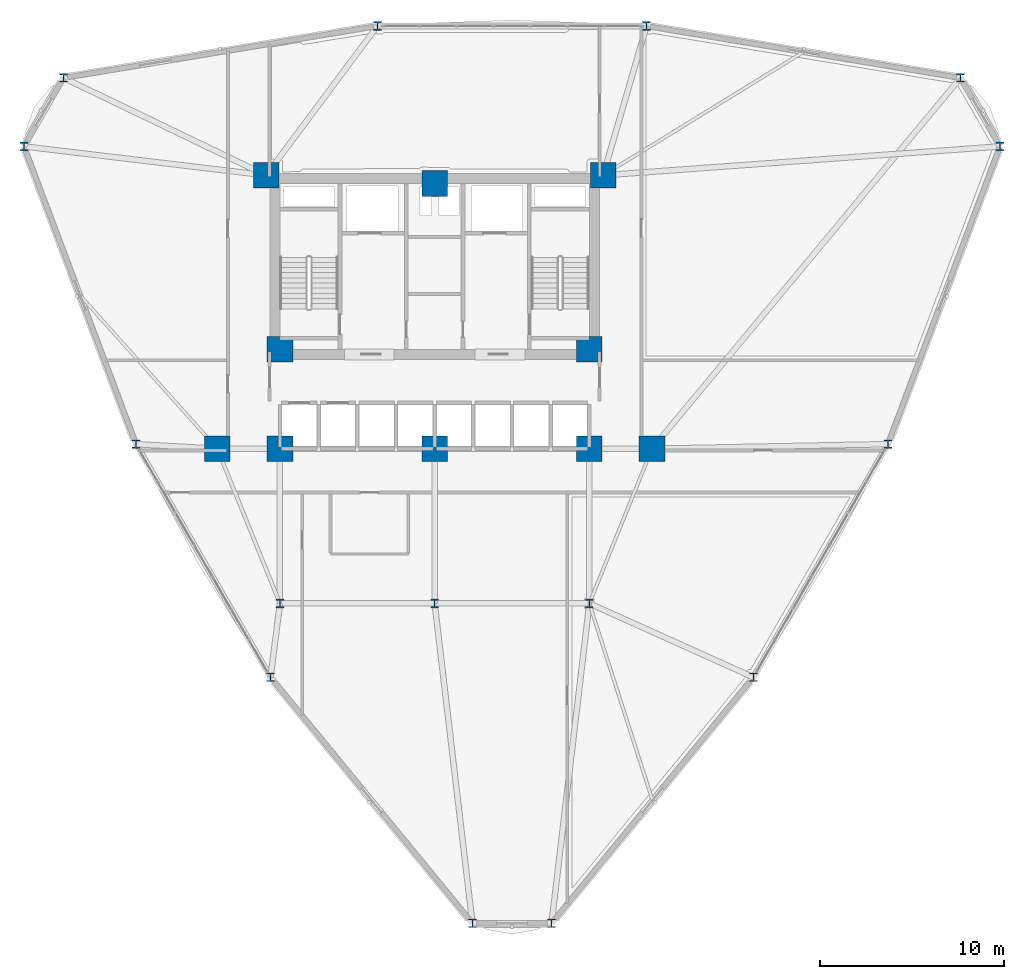
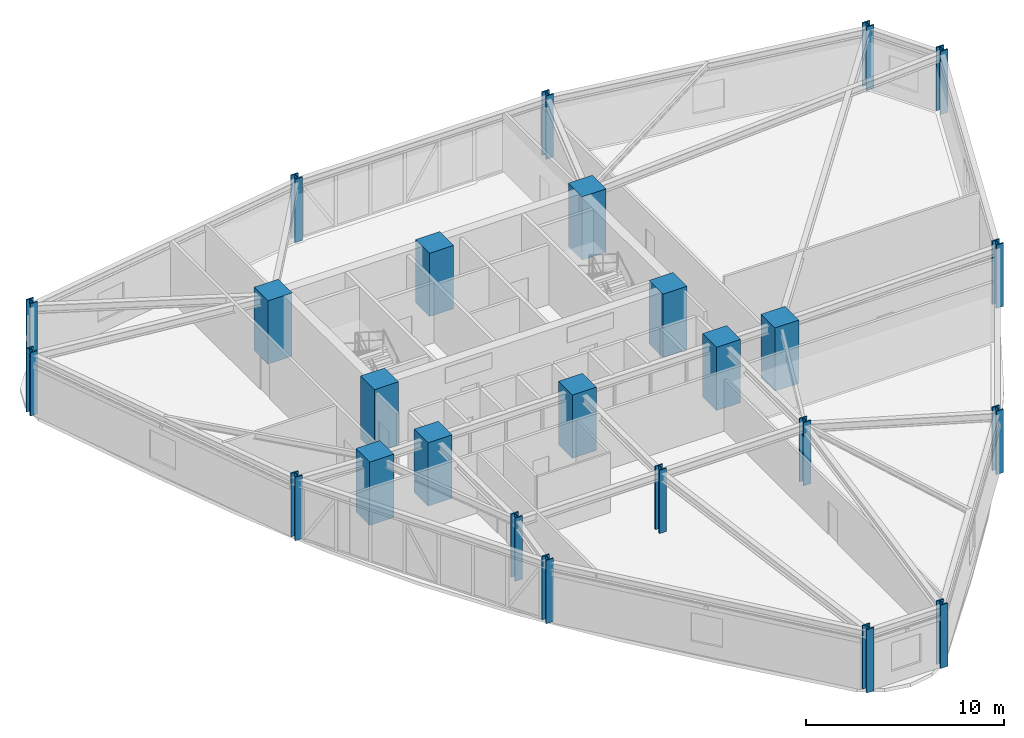
# One storey, part 1 of 20: 25 columns.
"""IFC4 building model written with IfcOpenShell, lengths in metres."""

import ifcopenshell
import ifcopenshell.guid

model = None  # the IFC model being written
_history = None  # IfcOwnerHistory: only IFC2X3 demands one
_inside = {}  # id of a spatial element -> (the spatial element, [elements in it])
_under = {}  # id of a project, library or spatial element -> (it, [spatial elements below it])
_declared = {}  # id of a project -> (the project, [libraries it declares])
_typed = {}  # id of a type object -> (the type object, [elements of that type])
_made_of = {}  # id of a material, layer set ... -> (it, [elements and type objects made of it])


def new_model(schema):
    """Start an empty IFC model of exactly this schema.

    Asked for "IFC4X3", IfcOpenShell would pick the latest addendum, in which some entities
    have other attributes; the version numbers below select the first issue.
    IFC2X3 requires an IfcOwnerHistory on every rooted entity: one is made here for all.
    """
    global model, _history
    if schema == "IFC4X3":
        model = ifcopenshell.file(schema_version=(4, 3, 0, 0))
    else:
        model = ifcopenshell.file(schema=schema)
    _inside.clear()
    _under.clear()
    _declared.clear()
    _typed.clear()
    _made_of.clear()
    _history = None
    if model.schema == "IFC2X3":
        org = make("IfcOrganization", Name="unknown")
        user = make(
            "IfcPersonAndOrganization",
            ThePerson=make("IfcPerson", FamilyName="unknown"),
            TheOrganization=org,
        )
        app = make(
            "IfcApplication",
            ApplicationDeveloper=org,
            Version="unknown",
            ApplicationFullName="unknown",
            ApplicationIdentifier="unknown",
        )
        _history = make(
            "IfcOwnerHistory",
            OwningUser=user,
            OwningApplication=app,
            ChangeAction="ADDED",
            CreationDate=0,
        )
    return model


def make(cls, **values):
    """One entity of the class cls with the attributes given. An attribute that is None is left unset."""
    return model.create_entity(
        cls, **{name: value for name, value in values.items() if value is not None}
    )


def rooted(cls, **values):
    """An entity with a GlobalId (a new one), such as an element, a storey or a relation."""
    return make(cls, GlobalId=ifcopenshell.guid.new(), OwnerHistory=_history, **values)


def si_unit(unit_type, name, prefix=None):
    """IfcSIUnit, for example si_unit("LENGTHUNIT", "METRE", prefix="MILLI")."""
    return make("IfcSIUnit", UnitType=unit_type, Prefix=prefix, Name=name)


def derived_unit(unit_type, elements):
    """IfcDerivedUnit: a product of units, each with its exponent."""
    return make(
        "IfcDerivedUnit",
        Elements=[
            make("IfcDerivedUnitElement", Unit=unit, Exponent=power)
            for unit, power in elements
        ],
        UnitType=unit_type,
    )


def assignment(units):
    """IfcUnitAssignment: the units of a project."""
    return None if units is None else make("IfcUnitAssignment", Units=units)


def point(xyz):
    """IfcCartesianPoint."""
    return None if xyz is None else make("IfcCartesianPoint", Coordinates=xyz)


def direction(xyz):
    """IfcDirection."""
    return None if xyz is None else make("IfcDirection", DirectionRatios=xyz)


def frame(location, z_axis=None, x_axis=None):
    """IfcAxis2Placement3D, a coordinate frame: its origin and axes. An axis left out is left unset."""
    return make(
        "IfcAxis2Placement3D",
        Location=point(location),
        Axis=direction(z_axis),
        RefDirection=direction(x_axis),
    )


def frame_2d(location, x_axis=None):
    """IfcAxis2Placement2D, a coordinate frame in the plane: its origin and x axis."""
    return make(
        "IfcAxis2Placement2D", Location=point(location), RefDirection=direction(x_axis)
    )


def origin():
    """The frame at (0, 0, 0) with its axes left unset."""
    return frame((0.0, 0.0, 0.0))


def origin_2d():
    """The frame at (0, 0) in the plane with its x axis left unset."""
    return frame_2d((0.0, 0.0))


def place(relative_to, where):
    """IfcLocalPlacement: puts the frame where relative to a parent placement (None: the world)."""
    return make(
        "IfcLocalPlacement", PlacementRelTo=relative_to, RelativePlacement=where
    )


def context(
    kind, dimensions, precision=None, world=None, true_north=None, identifier=None
):
    """IfcGeometricRepresentationContext, for example the 3D "Model" context."""
    return make(
        "IfcGeometricRepresentationContext",
        ContextIdentifier=identifier,
        ContextType=kind,
        CoordinateSpaceDimension=dimensions,
        Precision=precision,
        WorldCoordinateSystem=world,
        TrueNorth=true_north,
    )


def subcontext(parent, identifier, kind, view, scale=None):
    """IfcGeometricRepresentationSubContext, for example "Body" below "Model"."""
    return make(
        "IfcGeometricRepresentationSubContext",
        ContextIdentifier=identifier,
        ContextType=kind,
        ParentContext=parent,
        TargetScale=scale,
        TargetView=view,
    )


def project(units=None, contexts=None):
    """IfcProject with its units and contexts."""
    return rooted(
        "IfcProject",
        Name="project",
        RepresentationContexts=contexts,
        UnitsInContext=assignment(units),
    )


def spatial(cls, under=None, at=None, **own):
    """A site, building, storey or space (cls), placed at a placement, below another one or the project."""
    s = rooted(cls, ObjectPlacement=at, **own)
    if under is not None:
        _under.setdefault(under.id(), (under, []))[1].append(s)
    return s


def profile(cls, at=None, kind="AREA", **sizes):
    """A parametric profile (cls). Its sizes go by their IFC names, for example OverallWidth=200.0."""
    return make(cls, ProfileType=kind, Position=at, **sizes)


def rectangle(**sizes):
    """IfcRectangleProfileDef."""
    return profile("IfcRectangleProfileDef", **sizes)


def i_section(**sizes):
    """IfcIShapeProfileDef."""
    return profile("IfcIShapeProfileDef", **sizes)


def extrude(swept, where, along, depth):
    """IfcExtrudedAreaSolid: the profile swept, set in the frame where, extruded along a direction by depth."""
    return make(
        "IfcExtrudedAreaSolid",
        SweptArea=swept,
        Position=where,
        ExtrudedDirection=direction(along),
        Depth=depth,
    )


def shape(context_of_items, identifier, shape_type, items):
    """IfcShapeRepresentation: the items that make up one representation, for example the "Body"."""
    return make(
        "IfcShapeRepresentation",
        ContextOfItems=context_of_items,
        RepresentationIdentifier=identifier,
        RepresentationType=shape_type,
        Items=items,
    )


def source(mapping_origin, context_of_items, identifier, shape_type, items):
    """IfcRepresentationMap: a shape defined once, which mapped items show again and again."""
    return make(
        "IfcRepresentationMap",
        MappingOrigin=mapping_origin,
        MappedRepresentation=shape(context_of_items, identifier, shape_type, items),
    )


def transform(
    local_origin,
    x_axis=None,
    y_axis=None,
    z_axis=None,
    scale=None,
    scale2=None,
    scale3=None,
    uniform=True,
):
    """IfcCartesianTransformationOperator3D, or its non-uniform kind. x_axis, y_axis, z_axis: its Axis1, 2, 3."""
    if uniform:
        return make(
            "IfcCartesianTransformationOperator3D",
            Axis1=direction(x_axis),
            Axis2=direction(y_axis),
            LocalOrigin=point(local_origin),
            Scale=scale,
            Axis3=direction(z_axis),
        )
    return make(
        "IfcCartesianTransformationOperator3DnonUniform",
        Axis1=direction(x_axis),
        Axis2=direction(y_axis),
        LocalOrigin=point(local_origin),
        Scale=scale,
        Axis3=direction(z_axis),
        Scale2=scale2,
        Scale3=scale3,
    )


def mapped(mapping_source, mapping_target):
    """IfcMappedItem: shows the shape of a source again, moved by a transform."""
    return make(
        "IfcMappedItem", MappingSource=mapping_source, MappingTarget=mapping_target
    )


def material(Name=None, Category=None):
    """IfcMaterial."""
    return make("IfcMaterial", Name=Name, Category=Category)


def material_profile(
    of_material, cross_section, Name=None, Category=None, Priority=None
):
    """IfcMaterialProfile: a cross section and its material."""
    return make(
        "IfcMaterialProfile",
        Name=Name,
        Material=of_material,
        Profile=cross_section,
        Priority=Priority,
        Category=Category,
    )


def profile_set(profiles, Name=None, composite=None):
    """IfcMaterialProfileSet."""
    return make(
        "IfcMaterialProfileSet",
        Name=Name,
        MaterialProfiles=profiles,
        CompositeProfile=composite,
    )


def made_of(thing, what):
    """Note that an element or type object is made of a material, layer set ...; save() writes the relation."""
    if what is not None:
        _made_of.setdefault(what.id(), (what, []))[1].append(thing)
    return thing


def type_object(cls, material=None, **own):
    """A type object (cls), such as IfcWallType, which elements share."""
    return made_of(rooted(cls, **own), material)


def element(
    cls,
    number,
    at=None,
    inside=None,
    cuts=None,
    type_object=None,
    material=None,
    context=None,
    identifier="Body",
    shape_type=None,
    held_by="IfcProductDefinitionShape",
    body=None,
    shapes=None,
    **own,
):
    """One element of the class cls, such as IfcWall. Its Tag is "e" and its number.

    at: its placement. inside: the storey or other place that contains it. cuts: it is an
    opening in that element (IfcRelVoidsElement). A single representation is given by context,
    identifier, shape_type and body (its items); several are given by shapes. held_by: the class
    of the entity that holds the representations. save() writes the other relations.
    """
    e = rooted(cls, Tag="e%d" % number, ObjectPlacement=at, **own)
    if body is not None:
        shapes = [shape(context, identifier, shape_type, body)]
    if shapes is not None:
        e.Representation = make(held_by, Representations=shapes)
    if inside is not None:
        _inside.setdefault(inside.id(), (inside, []))[1].append(e)
    if cuts is not None:
        rooted(
            "IfcRelVoidsElement", RelatingBuildingElement=cuts, RelatedOpeningElement=e
        )
    if type_object is not None:
        _typed.setdefault(type_object.id(), (type_object, []))[1].append(e)
    return made_of(e, material)


def aggregate(whole, parts):
    """IfcRelAggregates: a whole, such as a stair, and the parts it consists of."""
    return rooted("IfcRelAggregates", RelatingObject=whole, RelatedObjects=parts)


def save(model, path):
    """Write the relations noted so far, then the file.

    IfcRelAggregates (storeys below a building ...), IfcRelContainedInSpatialStructure (elements
    in a storey), IfcRelDefinesByType, IfcRelAssociatesMaterial and IfcRelDeclares: one each for
    every whole, place, type object, material and project.
    """
    for whole, parts in _under.values():
        aggregate(whole, parts)
    for where, things in _inside.values():
        rooted(
            "IfcRelContainedInSpatialStructure",
            RelatedElements=things,
            RelatingStructure=where,
        )
    for kind, things in _typed.values():
        rooted("IfcRelDefinesByType", RelatedObjects=things, RelatingType=kind)
    for what, things in _made_of.values():
        rooted("IfcRelAssociatesMaterial", RelatedObjects=things, RelatingMaterial=what)
    for by, libraries in _declared.values():
        rooted("IfcRelDeclares", RelatingContext=by, RelatedDefinitions=libraries)
    model.write(path)


model = new_model("IFC4")

# Units and contexts
model_context = context("Model", 3, precision=1e-05, world=origin(), true_north=direction((0.0, 1.0)))
body_context = subcontext(model_context, "Body", "Model", "MODEL_VIEW")
ifc_project = project(units=[si_unit("LENGTHUNIT", "METRE"), si_unit("AREAUNIT", "SQUARE_METRE"), si_unit("VOLUMEUNIT", "CUBIC_METRE"), si_unit("PLANEANGLEUNIT", "RADIAN"), si_unit("MASSUNIT", "GRAM", prefix="KILO"), derived_unit("THERMALTRANSMITTANCEUNIT", [(si_unit("POWERUNIT", "WATT"), 1), (si_unit("LENGTHUNIT", "METRE"), -2), (si_unit("THERMODYNAMICTEMPERATUREUNIT", "KELVIN"), -1)])], contexts=[model_context])

# Site, building, storey
site_placement = place(None, origin())
site = spatial("IfcSite", under=ifc_project, at=site_placement, CompositionType="ELEMENT")
building_placement = place(site_placement, origin())
building = spatial("IfcBuilding", under=site, at=building_placement, Name="Korsvarv Bourse and Concert Hall", CompositionType="ELEMENT")
storey_placement = place(building_placement, frame((0.0, 0.0, 91.199951171875)))
storey = spatial("IfcBuildingStorey", under=building, at=storey_placement, Name="L22", CompositionType="ELEMENT", Elevation=91.199951171875)

# Columns
ifc_material_1 = material(Name="Concrete C60/75", Category="concrete")
ifc_material_profile_1 = material_profile(ifc_material_1, rectangle(XDim=1.39990234375, YDim=1.39990234375, at=origin_2d()), Name="RC 1400x1400")
ifc_profile_set_1 = profile_set([ifc_material_profile_1], Name="Concrete C60/75")
column_type_1 = type_object("IfcColumnType", Name="COL-RC1400", PredefinedType="COLUMN", material=ifc_profile_set_1)
shared_shape_1 = source(origin(), body_context, "Body", "SweptSolid", [
    extrude(rectangle(XDim=1.39990234375, YDim=1.39990234375, at=origin_2d()), origin(), (0.0, 0.0, 1.0), 3.900146484375),
])
for number, where, z_axis, x_axis, name in (
    (1, (26.85009765625, 47.25, 0.0), (0.0, 0.0, 1.0), (1.0, 0.0, 0.0), "L22 column C-01"),
    (2, (45.14990234375, 47.25, 0.0), (0.0, 0.0, 1.0), (1.0, 0.0, 0.0), "L22 column C-01"),
    (3, (27.60009765625, 37.800048828125, 0.0), (0.0, 0.0, 1.0), (1.0, 0.0, 0.0), "L22 column C-01"),
    (4, (44.39990234375, 37.800048828125, 0.0), (0.0, 0.0, 1.0), (1.0, 0.0, 0.0), "L22 column C-01"),
    (5, (27.60009765625, 32.39990234375, 0.0), (0.0, 0.0, 1.0), (1.0, 0.0, 0.0), "L22 column C-01"),
    (6, (44.39990234375, 32.39990234375, 0.0), (0.0, 0.0, 1.0), (1.0, 0.0, 0.0), "L22 column C-01"),
    (7, (36.0, 46.800048828125, 0.0), (0.0, 0.0, 1.0), (1.0, 0.0, 0.0), "L22 column C-01"),
    (8, (36.0, 32.39990234375, 0.0), (0.0, 0.0, 1.0), (1.0, 0.0, 0.0), "L22 column C-01"),
    (9, (24.199951171875, 32.39990234375, 0.0), (0.0, 0.0, 1.0), (1.0, 0.0, 0.0), "L22 column C-01"),
    (10, (47.800048828125, 32.39990234375, 0.0), (0.0, 0.0, 1.0), (1.0, 0.0, 0.0), "L22 column C-01"),
):
    element("IfcColumn", number, at=place(storey_placement, frame(where, z_axis=z_axis, x_axis=x_axis)), inside=storey, type_object=column_type_1, Name=name, PredefinedType="COLUMN", context=body_context, shape_type="MappedRepresentation", body=[
        mapped(shared_shape_1, transform((0.0, 0.0, 0.0), scale=1.0)),
    ])
ifc_material_2 = material(Name="Steel S460", Category="steel")
ifc_material_profile_2 = material_profile(ifc_material_2, i_section(OverallWidth=0.424072265625, OverallDepth=0.47412109375, WebThickness=0.044921875, FlangeThickness=0.072021484375, FilletRadius=0.014892578125, at=origin_2d()), Name="HD 400x634")
ifc_profile_set_2 = profile_set([ifc_material_profile_2], Name="Steel S460")
column_type_2 = type_object("IfcColumnType", Name="COL-HD634", PredefinedType="COLUMN", material=ifc_profile_set_2)
shared_shape_2 = source(origin(), body_context, "Body", "SweptSolid", [
    extrude(i_section(OverallWidth=0.424072265625, OverallDepth=0.47412109375, WebThickness=0.044921875, FlangeThickness=0.072021484375, FilletRadius=0.014892578125, at=origin_2d()), origin(), (0.0, 0.0, 1.0), 3.900146484375),
])
for number, where, z_axis, x_axis, name in (
    (11, (27.60009765625, 24.0, 0.0), (0.0, 0.0, 1.0), (1.0, 0.0, 0.0), "L22 column C-07"),
    (12, (44.39990234375, 24.0, 0.0), (0.0, 0.0, 1.0), (1.0, 0.0, 0.0), "L22 column C-07"),
    (13, (36.0, 24.0, 0.0), (0.0, 0.0, 1.0), (1.0, 0.0, 0.0), "L22 column C-07"),
    (14, (66.705078125, 48.819580078125, 0.0), (0.0, 0.0, 1.0), (1.0, 0.0, 0.0), "L22 column C-07"),
    (15, (64.554443359375, 52.544189453125, 0.0), (0.0, 0.0, 1.0), (1.0, 0.0, 0.0), "L22 column C-07"),
    (16, (47.509033203125, 55.35791015625, 0.0), (0.0, 0.0, 1.0), (1.0, 0.0, 0.0), "L22 column C-07"),
    (17, (32.89111328125, 55.35791015625, 0.0), (0.0, 0.0, 1.0), (1.0, 0.0, 0.0), "L22 column C-07"),
    (18, (15.845458984375, 52.544189453125, 0.0), (0.0, 0.0, 1.0), (1.0, 0.0, 0.0), "L22 column C-07"),
    (19, (13.695068359375, 48.819580078125, 0.0), (0.0, 0.0, 1.0), (1.0, 0.0, 0.0), "L22 column C-07"),
    (20, (19.781005859375, 32.65087890625, 0.0), (0.0, 0.0, 1.0), (1.0, 0.0, 0.0), "L22 column C-07"),
    (21, (27.090087890625, 19.9912109375, 0.0), (0.0, 0.0, 1.0), (1.0, 0.0, 0.0), "L22 column C-07"),
    (22, (38.049560546875, 6.63623046875, 0.0), (0.0, 0.0, 1.0), (1.0, 0.0, 0.0), "L22 column C-07"),
    (23, (42.3505859375, 6.63623046875, 0.0), (0.0, 0.0, 1.0), (1.0, 0.0, 0.0), "L22 column C-07"),
    (24, (53.309814453125, 19.9912109375, 0.0), (0.0, 0.0, 1.0), (1.0, 0.0, 0.0), "L22 column C-07"),
    (25, (60.618896484375, 32.65087890625, 0.0), (0.0, 0.0, 1.0), (1.0, 0.0, 0.0), "L22 column C-07"),
):
    element("IfcColumn", number, at=place(storey_placement, frame(where, z_axis=z_axis, x_axis=x_axis)), inside=storey, type_object=column_type_2, Name=name, PredefinedType="COLUMN", context=body_context, shape_type="MappedRepresentation", body=[
        mapped(shared_shape_2, transform((0.0, 0.0, 0.0), scale=1.0)),
    ])

save(model, "model.ifc")
